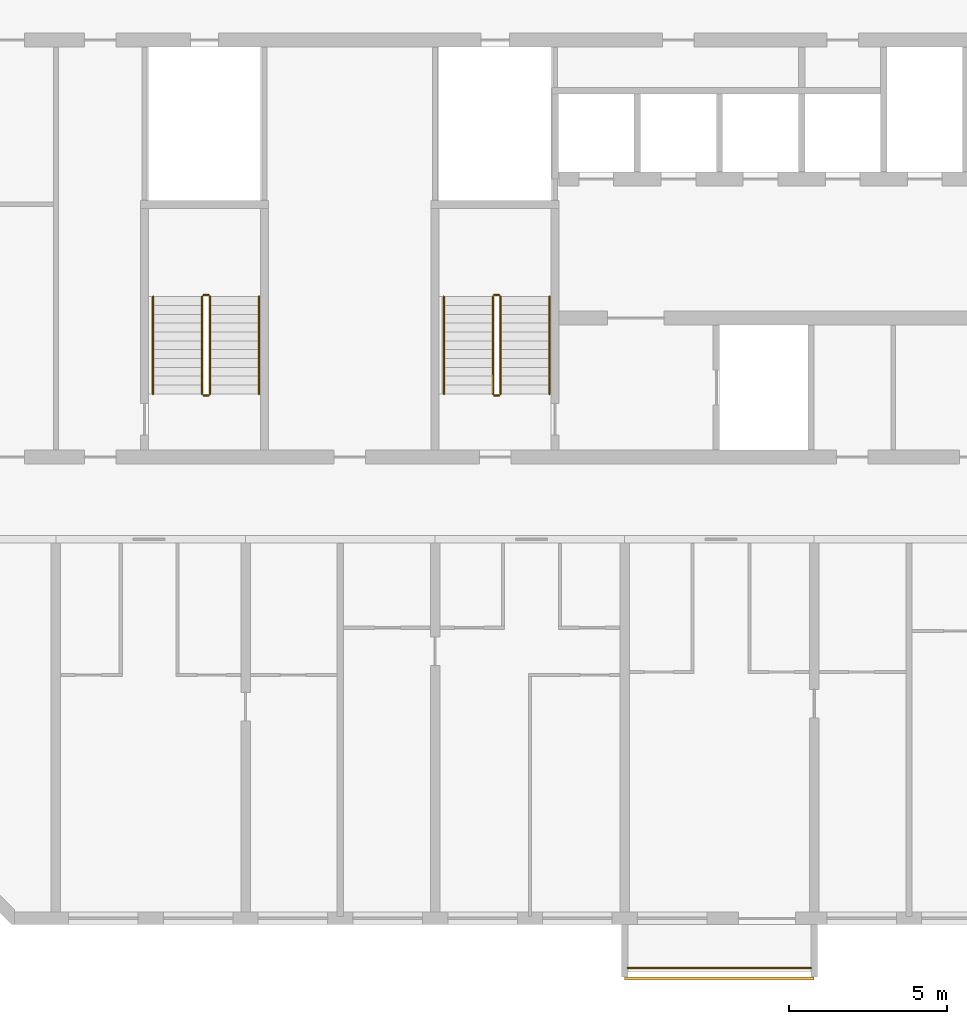
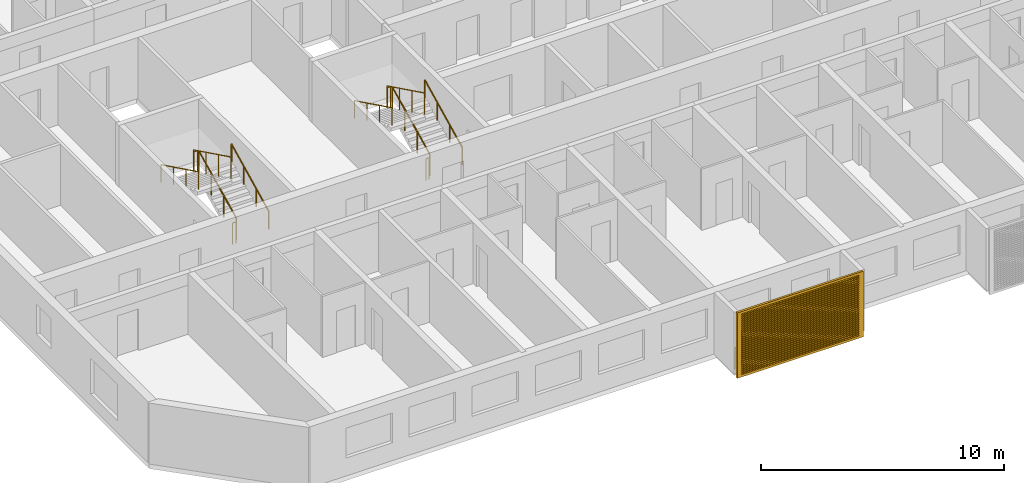
# One storey, part 14 of 32: 13 railings, 1 shading device.
"""IFC4 building model written with IfcOpenShell, lengths in metres."""

import ifcopenshell
import ifcopenshell.guid

model = None  # the IFC model being written
_history = None  # IfcOwnerHistory: only IFC2X3 demands one
_inside = {}  # id of a spatial element -> (the spatial element, [elements in it])
_under = {}  # id of a project, library or spatial element -> (it, [spatial elements below it])
_declared = {}  # id of a project -> (the project, [libraries it declares])
_typed = {}  # id of a type object -> (the type object, [elements of that type])
_made_of = {}  # id of a material, layer set ... -> (it, [elements and type objects made of it])


def new_model(schema):
    """Start an empty IFC model of exactly this schema.

    Asked for "IFC4X3", IfcOpenShell would pick the latest addendum, in which some entities
    have other attributes; the version numbers below select the first issue.
    IFC2X3 requires an IfcOwnerHistory on every rooted entity: one is made here for all.
    """
    global model, _history
    if schema == "IFC4X3":
        model = ifcopenshell.file(schema_version=(4, 3, 0, 0))
    else:
        model = ifcopenshell.file(schema=schema)
    _inside.clear()
    _under.clear()
    _declared.clear()
    _typed.clear()
    _made_of.clear()
    _history = None
    if model.schema == "IFC2X3":
        org = make("IfcOrganization", Name="unknown")
        user = make(
            "IfcPersonAndOrganization",
            ThePerson=make("IfcPerson", FamilyName="unknown"),
            TheOrganization=org,
        )
        app = make(
            "IfcApplication",
            ApplicationDeveloper=org,
            Version="unknown",
            ApplicationFullName="unknown",
            ApplicationIdentifier="unknown",
        )
        _history = make(
            "IfcOwnerHistory",
            OwningUser=user,
            OwningApplication=app,
            ChangeAction="ADDED",
            CreationDate=0,
        )
    return model


def make(cls, **values):
    """One entity of the class cls with the attributes given. An attribute that is None is left unset."""
    return model.create_entity(
        cls, **{name: value for name, value in values.items() if value is not None}
    )


def rooted(cls, **values):
    """An entity with a GlobalId (a new one), such as an element, a storey or a relation."""
    return make(cls, GlobalId=ifcopenshell.guid.new(), OwnerHistory=_history, **values)


def si_unit(unit_type, name, prefix=None):
    """IfcSIUnit, for example si_unit("LENGTHUNIT", "METRE", prefix="MILLI")."""
    return make("IfcSIUnit", UnitType=unit_type, Prefix=prefix, Name=name)


def assignment(units):
    """IfcUnitAssignment: the units of a project."""
    return None if units is None else make("IfcUnitAssignment", Units=units)


def point(xyz):
    """IfcCartesianPoint."""
    return None if xyz is None else make("IfcCartesianPoint", Coordinates=xyz)


def direction(xyz):
    """IfcDirection."""
    return None if xyz is None else make("IfcDirection", DirectionRatios=xyz)


def frame(location, z_axis=None, x_axis=None):
    """IfcAxis2Placement3D, a coordinate frame: its origin and axes. An axis left out is left unset."""
    return make(
        "IfcAxis2Placement3D",
        Location=point(location),
        Axis=direction(z_axis),
        RefDirection=direction(x_axis),
    )


def frame_2d(location, x_axis=None):
    """IfcAxis2Placement2D, a coordinate frame in the plane: its origin and x axis."""
    return make(
        "IfcAxis2Placement2D", Location=point(location), RefDirection=direction(x_axis)
    )


def origin():
    """The frame at (0, 0, 0) with its axes left unset."""
    return frame((0.0, 0.0, 0.0))


def origin_2d():
    """The frame at (0, 0) in the plane with its x axis left unset."""
    return frame_2d((0.0, 0.0))


def place(relative_to, where):
    """IfcLocalPlacement: puts the frame where relative to a parent placement (None: the world)."""
    return make(
        "IfcLocalPlacement", PlacementRelTo=relative_to, RelativePlacement=where
    )


def context(
    kind, dimensions, precision=None, world=None, true_north=None, identifier=None
):
    """IfcGeometricRepresentationContext, for example the 3D "Model" context."""
    return make(
        "IfcGeometricRepresentationContext",
        ContextIdentifier=identifier,
        ContextType=kind,
        CoordinateSpaceDimension=dimensions,
        Precision=precision,
        WorldCoordinateSystem=world,
        TrueNorth=true_north,
    )


def subcontext(parent, identifier, kind, view, scale=None):
    """IfcGeometricRepresentationSubContext, for example "Body" below "Model"."""
    return make(
        "IfcGeometricRepresentationSubContext",
        ContextIdentifier=identifier,
        ContextType=kind,
        ParentContext=parent,
        TargetScale=scale,
        TargetView=view,
    )


def project(units=None, contexts=None):
    """IfcProject with its units and contexts."""
    return rooted(
        "IfcProject",
        Name="project",
        RepresentationContexts=contexts,
        UnitsInContext=assignment(units),
    )


def spatial(cls, under=None, at=None, **own):
    """A site, building, storey or space (cls), placed at a placement, below another one or the project."""
    s = rooted(cls, ObjectPlacement=at, **own)
    if under is not None:
        _under.setdefault(under.id(), (under, []))[1].append(s)
    return s


def polyline(points):
    """IfcPolyline through the points."""
    return make("IfcPolyline", Points=[point(p) for p in points])


def profile(cls, at=None, kind="AREA", **sizes):
    """A parametric profile (cls). Its sizes go by their IFC names, for example OverallWidth=200.0."""
    return make(cls, ProfileType=kind, Position=at, **sizes)


def circle(**sizes):
    """IfcCircleProfileDef."""
    return profile("IfcCircleProfileDef", **sizes)


def outline(outer, holes=None, kind="AREA"):
    """IfcArbitraryClosedProfileDef: a profile drawn as a closed curve; with holes, ...WithVoids."""
    if holes is None:
        return make("IfcArbitraryClosedProfileDef", ProfileType=kind, OuterCurve=outer)
    return make(
        "IfcArbitraryProfileDefWithVoids",
        ProfileType=kind,
        OuterCurve=outer,
        InnerCurves=holes,
    )


def extrude(swept, where, along, depth):
    """IfcExtrudedAreaSolid: the profile swept, set in the frame where, extruded along a direction by depth."""
    return make(
        "IfcExtrudedAreaSolid",
        SweptArea=swept,
        Position=where,
        ExtrudedDirection=direction(along),
        Depth=depth,
    )


def shape(context_of_items, identifier, shape_type, items):
    """IfcShapeRepresentation: the items that make up one representation, for example the "Body"."""
    return make(
        "IfcShapeRepresentation",
        ContextOfItems=context_of_items,
        RepresentationIdentifier=identifier,
        RepresentationType=shape_type,
        Items=items,
    )


def source(mapping_origin, context_of_items, identifier, shape_type, items):
    """IfcRepresentationMap: a shape defined once, which mapped items show again and again."""
    return make(
        "IfcRepresentationMap",
        MappingOrigin=mapping_origin,
        MappedRepresentation=shape(context_of_items, identifier, shape_type, items),
    )


def transform(
    local_origin,
    x_axis=None,
    y_axis=None,
    z_axis=None,
    scale=None,
    scale2=None,
    scale3=None,
    uniform=True,
):
    """IfcCartesianTransformationOperator3D, or its non-uniform kind. x_axis, y_axis, z_axis: its Axis1, 2, 3."""
    if uniform:
        return make(
            "IfcCartesianTransformationOperator3D",
            Axis1=direction(x_axis),
            Axis2=direction(y_axis),
            LocalOrigin=point(local_origin),
            Scale=scale,
            Axis3=direction(z_axis),
        )
    return make(
        "IfcCartesianTransformationOperator3DnonUniform",
        Axis1=direction(x_axis),
        Axis2=direction(y_axis),
        LocalOrigin=point(local_origin),
        Scale=scale,
        Axis3=direction(z_axis),
        Scale2=scale2,
        Scale3=scale3,
    )


def mapped(mapping_source, mapping_target):
    """IfcMappedItem: shows the shape of a source again, moved by a transform."""
    return make(
        "IfcMappedItem", MappingSource=mapping_source, MappingTarget=mapping_target
    )


def material(Name=None, Category=None):
    """IfcMaterial."""
    return make("IfcMaterial", Name=Name, Category=Category)


def material_profile(
    of_material, cross_section, Name=None, Category=None, Priority=None
):
    """IfcMaterialProfile: a cross section and its material."""
    return make(
        "IfcMaterialProfile",
        Name=Name,
        Material=of_material,
        Profile=cross_section,
        Priority=Priority,
        Category=Category,
    )


def profile_set(profiles, Name=None, composite=None):
    """IfcMaterialProfileSet."""
    return make(
        "IfcMaterialProfileSet",
        Name=Name,
        MaterialProfiles=profiles,
        CompositeProfile=composite,
    )


def made_of(thing, what):
    """Note that an element or type object is made of a material, layer set ...; save() writes the relation."""
    if what is not None:
        _made_of.setdefault(what.id(), (what, []))[1].append(thing)
    return thing


def type_object(cls, material=None, **own):
    """A type object (cls), such as IfcWallType, which elements share."""
    return made_of(rooted(cls, **own), material)


def element(
    cls,
    number,
    at=None,
    inside=None,
    cuts=None,
    type_object=None,
    material=None,
    context=None,
    identifier="Body",
    shape_type=None,
    held_by="IfcProductDefinitionShape",
    body=None,
    shapes=None,
    **own,
):
    """One element of the class cls, such as IfcWall. Its Tag is "e" and its number.

    at: its placement. inside: the storey or other place that contains it. cuts: it is an
    opening in that element (IfcRelVoidsElement). A single representation is given by context,
    identifier, shape_type and body (its items); several are given by shapes. held_by: the class
    of the entity that holds the representations. save() writes the other relations.
    """
    e = rooted(cls, Tag="e%d" % number, ObjectPlacement=at, **own)
    if body is not None:
        shapes = [shape(context, identifier, shape_type, body)]
    if shapes is not None:
        e.Representation = make(held_by, Representations=shapes)
    if inside is not None:
        _inside.setdefault(inside.id(), (inside, []))[1].append(e)
    if cuts is not None:
        rooted(
            "IfcRelVoidsElement", RelatingBuildingElement=cuts, RelatedOpeningElement=e
        )
    if type_object is not None:
        _typed.setdefault(type_object.id(), (type_object, []))[1].append(e)
    return made_of(e, material)


def aggregate(whole, parts):
    """IfcRelAggregates: a whole, such as a stair, and the parts it consists of."""
    return rooted("IfcRelAggregates", RelatingObject=whole, RelatedObjects=parts)


def save(model, path):
    """Write the relations noted so far, then the file.

    IfcRelAggregates (storeys below a building ...), IfcRelContainedInSpatialStructure (elements
    in a storey), IfcRelDefinesByType, IfcRelAssociatesMaterial and IfcRelDeclares: one each for
    every whole, place, type object, material and project.
    """
    for whole, parts in _under.values():
        aggregate(whole, parts)
    for where, things in _inside.values():
        rooted(
            "IfcRelContainedInSpatialStructure",
            RelatedElements=things,
            RelatingStructure=where,
        )
    for kind, things in _typed.values():
        rooted("IfcRelDefinesByType", RelatedObjects=things, RelatingType=kind)
    for what, things in _made_of.values():
        rooted("IfcRelAssociatesMaterial", RelatedObjects=things, RelatingMaterial=what)
    for by, libraries in _declared.values():
        rooted("IfcRelDeclares", RelatingContext=by, RelatedDefinitions=libraries)
    model.write(path)


model = new_model("IFC4")

# Units and contexts
model_context = context("Model", 3, precision=1e-05, world=origin(), true_north=direction((0.0, 1.0)))
body_context = subcontext(model_context, "Body", "Model", "MODEL_VIEW")
ifc_project = project(units=[si_unit("LENGTHUNIT", "METRE"), si_unit("AREAUNIT", "SQUARE_METRE"), si_unit("VOLUMEUNIT", "CUBIC_METRE"), si_unit("PLANEANGLEUNIT", "RADIAN"), si_unit("MASSUNIT", "GRAM", prefix="KILO")], contexts=[model_context])

# Site, building, storey
site_placement = place(None, origin())
site = spatial("IfcSite", under=ifc_project, at=site_placement, CompositionType="ELEMENT")
building_placement = place(site_placement, origin())
building = spatial("IfcBuilding", under=site, at=building_placement, Name="Poui Terraces", CompositionType="ELEMENT")
storey_placement = place(building_placement, frame((0.0, 0.0, 125.699951171875)))
storey = spatial("IfcBuildingStorey", under=building, at=storey_placement, Name="L34", CompositionType="ELEMENT", Elevation=125.699951171875)

# Railings
ifc_material_1 = material(Name="Painted steel fretwork", Category="steel")
railing_type_1 = type_object("IfcRailingType", Name="BALCONY GUARD 1100", PredefinedType="GUARDRAIL", material=ifc_material_1)
railing_1_placement = place(storey_placement, frame((36.10009765625, -1.570068359375, 0.0)))
element("IfcRailing", 1, at=railing_1_placement, inside=storey, type_object=railing_type_1, Name="BALCONY GUARD", PredefinedType="GUARDRAIL", context=body_context, shape_type="SweptSolid", body=[
    extrude(circle(Radius=0.02392578125, at=origin_2d()), frame((0.0, 0.0, 1.076171875), z_axis=(1.0, 0.0, 0.0), x_axis=(0.0, 1.0, 0.0)), (0.0, 0.0, 1.0), 5.7998046875),
    extrude(circle(Radius=0.02099609375, at=origin_2d()), origin(), (0.0, 0.0, 1.0), 1.052001953125),
    extrude(circle(Radius=0.02099609375, at=origin_2d()), frame((0.966552734375, 0.0, 0.0)), (0.0, 0.0, 1.0), 1.052001953125),
    extrude(circle(Radius=0.02099609375, at=origin_2d()), frame((1.933349609375, 0.0, 0.0)), (0.0, 0.0, 1.0), 1.052001953125),
    extrude(circle(Radius=0.02099609375, at=origin_2d()), frame((2.89990234375, 0.0, 0.0)), (0.0, 0.0, 1.0), 1.052001953125),
    extrude(circle(Radius=0.02099609375, at=origin_2d()), frame((3.866455078125, 0.0, 0.0)), (0.0, 0.0, 1.0), 1.052001953125),
    extrude(circle(Radius=0.02099609375, at=origin_2d()), frame((4.833251953125, 0.0, 0.0)), (0.0, 0.0, 1.0), 1.052001953125),
    extrude(circle(Radius=0.02099609375, at=origin_2d()), frame((5.7998046875, 0.0, 0.0)), (0.0, 0.0, 1.0), 1.052001953125),
])
ifc_material_2 = material(Name="Galvanised steel balustrade", Category="steel")
railing_type_2 = type_object("IfcRailingType", Name="STAIR GUARD 1100", PredefinedType="GUARDRAIL", material=ifc_material_2)
railing_2_placement = place(storey_placement, frame((32.074951171875, 16.60009765625, 0.137451171875)))
element("IfcRailing", 2, at=railing_2_placement, inside=storey, type_object=railing_type_2, Name="L34 ST-CW stair guard 1", PredefinedType="GUARDRAIL", context=body_context, shape_type="SweptSolid", body=[
    extrude(circle(Radius=0.02392578125, at=origin_2d()), frame((0.0, 0.0, 1.076171875), z_axis=(0.0, 0.897578036475, 0.440855609512), x_axis=(-1.0, 0.0, 0.0)), (0.0, 0.0, 1.0), 3.43115234375),
    extrude(circle(Radius=0.02099609375, at=origin_2d()), origin(), (0.0, 0.0, 1.0), 1.052001953125),
    extrude(circle(Radius=0.02099609375, at=origin_2d()), frame((0.0, 1.026611328125, 0.504150390625)), (0.0, 0.0, 1.0), 1.052001953125),
    extrude(circle(Radius=0.02099609375, at=origin_2d()), frame((0.0, 2.05322265625, 1.008544921875)), (0.0, 0.0, 1.0), 1.052001953125),
    extrude(circle(Radius=0.02099609375, at=origin_2d()), frame((0.0, 3.079833984375, 1.5126953125)), (0.0, 0.0, 1.0), 1.052001953125),
])
railing_3_placement = place(storey_placement, frame((32.02490234375, 19.72998046875, 1.650146484375)))
element("IfcRailing", 3, at=railing_3_placement, inside=storey, type_object=railing_type_2, Name="L34 ST-CW stair guard 2", PredefinedType="GUARDRAIL", context=body_context, shape_type="SweptSolid", body=[
    extrude(circle(Radius=0.02392578125, at=origin_2d()), frame((0.0, 0.0, 1.076171875), z_axis=(-1.0, 0.0, 0.0), x_axis=(0.0, -1.0, 0.0)), (0.0, 0.0, 1.0), 0.14990234375),
    extrude(circle(Radius=0.02099609375, at=origin_2d()), origin(), (0.0, 0.0, 1.0), 1.052001953125),
    extrude(circle(Radius=0.02099609375, at=origin_2d()), frame((-0.14990234375, 0.0, 0.0)), (0.0, 0.0, 1.0), 1.052001953125),
])
railing_4_placement = place(storey_placement, frame((31.824951171875, 19.679931640625, 1.78759765625)))
element("IfcRailing", 4, at=railing_4_placement, inside=storey, type_object=railing_type_2, Name="L34 ST-CW stair guard 3", PredefinedType="GUARDRAIL", context=body_context, shape_type="SweptSolid", body=[
    extrude(circle(Radius=0.02392578125, at=origin_2d()), frame((0.0, 0.0, 1.076171875), z_axis=(0.0, -0.897606190399, 0.440798283751), x_axis=(1.0, 0.0, 0.0)), (0.0, 0.0, 1.0), 3.43115234375),
    extrude(circle(Radius=0.02099609375, at=origin_2d()), origin(), (0.0, 0.0, 1.0), 1.052001953125),
    extrude(circle(Radius=0.02099609375, at=origin_2d()), frame((0.0, -1.026611328125, 0.504150390625)), (0.0, 0.0, 1.0), 1.052001953125),
    extrude(circle(Radius=0.02099609375, at=origin_2d()), frame((0.0, -2.05322265625, 1.00830078125)), (0.0, 0.0, 1.0), 1.052001953125),
    extrude(circle(Radius=0.02099609375, at=origin_2d()), frame((0.0, -3.079833984375, 1.512451171875)), (0.0, 0.0, 1.0), 1.052001953125),
])
railing_5_placement = place(storey_placement, frame((32.02490234375, 16.550048828125, 0.0)))
element("IfcRailing", 5, at=railing_5_placement, inside=storey, type_object=railing_type_2, Name="L34 ST-CW stair guard 4", PredefinedType="GUARDRAIL", context=body_context, shape_type="SweptSolid", body=[
    extrude(circle(Radius=0.02392578125, at=origin_2d()), frame((0.0, 0.0, 1.076171875), z_axis=(-1.0, 0.0, 0.0), x_axis=(0.0, -1.0, 0.0)), (0.0, 0.0, 1.0), 0.14990234375),
    extrude(circle(Radius=0.02099609375, at=origin_2d()), origin(), (0.0, 0.0, 1.0), 1.052001953125),
    extrude(circle(Radius=0.02099609375, at=origin_2d()), frame((-0.14990234375, 0.0, 0.0)), (0.0, 0.0, 1.0), 1.052001953125),
])
railing_6_placement = place(storey_placement, frame((22.875, 16.60009765625, 0.137451171875)))
element("IfcRailing", 6, at=railing_6_placement, inside=storey, type_object=railing_type_2, Name="L34 ST-W stair guard 1", PredefinedType="GUARDRAIL", context=body_context, shape_type="SweptSolid", body=[
    extrude(circle(Radius=0.02392578125, at=origin_2d()), frame((0.0, 0.0, 1.076171875), z_axis=(0.0, 0.897578036475, 0.440855609512), x_axis=(-1.0, 0.0, 0.0)), (0.0, 0.0, 1.0), 3.43115234375),
    extrude(circle(Radius=0.02099609375, at=origin_2d()), origin(), (0.0, 0.0, 1.0), 1.052001953125),
    extrude(circle(Radius=0.02099609375, at=origin_2d()), frame((0.0, 1.026611328125, 0.504150390625)), (0.0, 0.0, 1.0), 1.052001953125),
    extrude(circle(Radius=0.02099609375, at=origin_2d()), frame((0.0, 2.05322265625, 1.008544921875)), (0.0, 0.0, 1.0), 1.052001953125),
    extrude(circle(Radius=0.02099609375, at=origin_2d()), frame((0.0, 3.079833984375, 1.5126953125)), (0.0, 0.0, 1.0), 1.052001953125),
])
railing_7_placement = place(storey_placement, frame((22.824951171875, 19.72998046875, 1.650146484375)))
element("IfcRailing", 7, at=railing_7_placement, inside=storey, type_object=railing_type_2, Name="L34 ST-W stair guard 2", PredefinedType="GUARDRAIL", context=body_context, shape_type="SweptSolid", body=[
    extrude(circle(Radius=0.02392578125, at=origin_2d()), frame((0.0, 0.0, 1.076171875), z_axis=(-1.0, 0.0, 0.0), x_axis=(0.0, -1.0, 0.0)), (0.0, 0.0, 1.0), 0.14990234375),
    extrude(circle(Radius=0.02099609375, at=origin_2d()), origin(), (0.0, 0.0, 1.0), 1.052001953125),
    extrude(circle(Radius=0.02099609375, at=origin_2d()), frame((-0.14990234375, 0.0, 0.0)), (0.0, 0.0, 1.0), 1.052001953125),
])
railing_8_placement = place(storey_placement, frame((22.625, 19.679931640625, 1.78759765625)))
element("IfcRailing", 8, at=railing_8_placement, inside=storey, type_object=railing_type_2, Name="L34 ST-W stair guard 3", PredefinedType="GUARDRAIL", context=body_context, shape_type="SweptSolid", body=[
    extrude(circle(Radius=0.02392578125, at=origin_2d()), frame((0.0, 0.0, 1.076171875), z_axis=(0.0, -0.897606190399, 0.440798283751), x_axis=(1.0, 0.0, 0.0)), (0.0, 0.0, 1.0), 3.43115234375),
    extrude(circle(Radius=0.02099609375, at=origin_2d()), origin(), (0.0, 0.0, 1.0), 1.052001953125),
    extrude(circle(Radius=0.02099609375, at=origin_2d()), frame((0.0, -1.026611328125, 0.504150390625)), (0.0, 0.0, 1.0), 1.052001953125),
    extrude(circle(Radius=0.02099609375, at=origin_2d()), frame((0.0, -2.05322265625, 1.00830078125)), (0.0, 0.0, 1.0), 1.052001953125),
    extrude(circle(Radius=0.02099609375, at=origin_2d()), frame((0.0, -3.079833984375, 1.512451171875)), (0.0, 0.0, 1.0), 1.052001953125),
])
railing_9_placement = place(storey_placement, frame((22.824951171875, 16.550048828125, 0.0)))
element("IfcRailing", 9, at=railing_9_placement, inside=storey, type_object=railing_type_2, Name="L34 ST-W stair guard 4", PredefinedType="GUARDRAIL", context=body_context, shape_type="SweptSolid", body=[
    extrude(circle(Radius=0.02392578125, at=origin_2d()), frame((0.0, 0.0, 1.076171875), z_axis=(-1.0, 0.0, 0.0), x_axis=(0.0, -1.0, 0.0)), (0.0, 0.0, 1.0), 0.14990234375),
    extrude(circle(Radius=0.02099609375, at=origin_2d()), origin(), (0.0, 0.0, 1.0), 1.052001953125),
    extrude(circle(Radius=0.02099609375, at=origin_2d()), frame((-0.14990234375, 0.0, 0.0)), (0.0, 0.0, 1.0), 1.052001953125),
])
ifc_material_3 = material(Name="Stainless steel handrail", Category="steel")
railing_type_3 = type_object("IfcRailingType", Name="STAIR HANDRAIL 900", PredefinedType="HANDRAIL", material=ifc_material_3)
railing_10_placement = place(storey_placement, frame((33.625, 16.60009765625, 0.137451171875)))
element("IfcRailing", 10, at=railing_10_placement, inside=storey, type_object=railing_type_3, Name="L34 ST-CW stair handrail 1", PredefinedType="HANDRAIL", context=body_context, shape_type="SweptSolid", body=[
    extrude(circle(Radius=0.02392578125, at=origin_2d()), frame((0.0, 0.0, 0.8759765625), z_axis=(0.0, 0.897578036475, 0.440855609512), x_axis=(-1.0, 0.0, 0.0)), (0.0, 0.0, 1.0), 3.43115234375),
    extrude(circle(Radius=0.02099609375, at=origin_2d()), origin(), (0.0, 0.0, 1.0), 0.851806640625),
    extrude(circle(Radius=0.02099609375, at=origin_2d()), frame((0.0, 1.026611328125, 0.504150390625)), (0.0, 0.0, 1.0), 0.851806640625),
    extrude(circle(Radius=0.02099609375, at=origin_2d()), frame((0.0, 2.05322265625, 1.008544921875)), (0.0, 0.0, 1.0), 0.851806640625),
    extrude(circle(Radius=0.02099609375, at=origin_2d()), frame((0.0, 3.079833984375, 1.5126953125)), (0.0, 0.0, 1.0), 0.851806640625),
])
railing_11_placement = place(storey_placement, frame((30.27490234375, 19.679931640625, 1.78759765625)))
element("IfcRailing", 11, at=railing_11_placement, inside=storey, type_object=railing_type_3, Name="L34 ST-CW stair handrail 2", PredefinedType="HANDRAIL", context=body_context, shape_type="SweptSolid", body=[
    extrude(circle(Radius=0.02392578125, at=origin_2d()), frame((0.0, 0.0, 0.8759765625), z_axis=(0.0, -0.897606190399, 0.440798283751), x_axis=(1.0, 0.0, 0.0)), (0.0, 0.0, 1.0), 3.43115234375),
    extrude(circle(Radius=0.02099609375, at=origin_2d()), origin(), (0.0, 0.0, 1.0), 0.851806640625),
    extrude(circle(Radius=0.02099609375, at=origin_2d()), frame((0.0, -1.026611328125, 0.504150390625)), (0.0, 0.0, 1.0), 0.851806640625),
    extrude(circle(Radius=0.02099609375, at=origin_2d()), frame((0.0, -2.05322265625, 1.00830078125)), (0.0, 0.0, 1.0), 0.851806640625),
    extrude(circle(Radius=0.02099609375, at=origin_2d()), frame((0.0, -3.079833984375, 1.512451171875)), (0.0, 0.0, 1.0), 0.851806640625),
])
railing_12_placement = place(storey_placement, frame((24.425048828125, 16.60009765625, 0.137451171875)))
element("IfcRailing", 12, at=railing_12_placement, inside=storey, type_object=railing_type_3, Name="L34 ST-W stair handrail 1", PredefinedType="HANDRAIL", context=body_context, shape_type="SweptSolid", body=[
    extrude(circle(Radius=0.02392578125, at=origin_2d()), frame((0.0, 0.0, 0.8759765625), z_axis=(0.0, 0.897578036475, 0.440855609512), x_axis=(-1.0, 0.0, 0.0)), (0.0, 0.0, 1.0), 3.43115234375),
    extrude(circle(Radius=0.02099609375, at=origin_2d()), origin(), (0.0, 0.0, 1.0), 0.851806640625),
    extrude(circle(Radius=0.02099609375, at=origin_2d()), frame((0.0, 1.026611328125, 0.504150390625)), (0.0, 0.0, 1.0), 0.851806640625),
    extrude(circle(Radius=0.02099609375, at=origin_2d()), frame((0.0, 2.05322265625, 1.008544921875)), (0.0, 0.0, 1.0), 0.851806640625),
    extrude(circle(Radius=0.02099609375, at=origin_2d()), frame((0.0, 3.079833984375, 1.5126953125)), (0.0, 0.0, 1.0), 0.851806640625),
])
railing_13_placement = place(storey_placement, frame((21.074951171875, 19.679931640625, 1.78759765625)))
element("IfcRailing", 13, at=railing_13_placement, inside=storey, type_object=railing_type_3, Name="L34 ST-W stair handrail 2", PredefinedType="HANDRAIL", context=body_context, shape_type="SweptSolid", body=[
    extrude(circle(Radius=0.02392578125, at=origin_2d()), frame((0.0, 0.0, 0.8759765625), z_axis=(0.0, -0.897606190399, 0.440798283751), x_axis=(1.0, 0.0, 0.0)), (0.0, 0.0, 1.0), 3.43115234375),
    extrude(circle(Radius=0.02099609375, at=origin_2d()), origin(), (0.0, 0.0, 1.0), 0.851806640625),
    extrude(circle(Radius=0.02099609375, at=origin_2d()), frame((0.0, -1.026611328125, 0.504150390625)), (0.0, 0.0, 1.0), 0.851806640625),
    extrude(circle(Radius=0.02099609375, at=origin_2d()), frame((0.0, -2.05322265625, 1.00830078125)), (0.0, 0.0, 1.0), 0.851806640625),
    extrude(circle(Radius=0.02099609375, at=origin_2d()), frame((0.0, -3.079833984375, 1.512451171875)), (0.0, 0.0, 1.0), 0.851806640625),
])

# Shading device
ifc_material_4 = material(Name="Aluminium louvre", Category="aluminium")
ifc_material_profile = material_profile(ifc_material_4, outline(polyline([(-3.0, -1.64990234375), (3.0, -1.64990234375), (3.0, 1.64990234375), (-3.0, 1.64990234375), (-3.0, -1.64990234375)]), holes=[polyline([(-2.800048828125, -1.530029296875), (2.800048828125, -1.530029296875), (2.800048828125, -1.469970703125), (-2.800048828125, -1.469970703125), (-2.800048828125, -1.530029296875)]), polyline([(-2.800048828125, -1.429931640625), (2.800048828125, -1.429931640625), (2.800048828125, -1.3701171875), (-2.800048828125, -1.3701171875), (-2.800048828125, -1.429931640625)]), polyline([(-2.800048828125, -1.330078125), (2.800048828125, -1.330078125), (2.800048828125, -1.27001953125), (-2.800048828125, -1.27001953125), (-2.800048828125, -1.330078125)]), polyline([(-2.800048828125, -1.22998046875), (2.800048828125, -1.22998046875), (2.800048828125, -1.169921875), (-2.800048828125, -1.169921875), (-2.800048828125, -1.22998046875)]), polyline([(-2.800048828125, -1.1298828125), (2.800048828125, -1.1298828125), (2.800048828125, -1.070068359375), (-2.800048828125, -1.070068359375), (-2.800048828125, -1.1298828125)]), polyline([(-2.800048828125, -1.030029296875), (2.800048828125, -1.030029296875), (2.800048828125, -0.969970703125), (-2.800048828125, -0.969970703125), (-2.800048828125, -1.030029296875)]), polyline([(-2.800048828125, -0.929931640625), (2.800048828125, -0.929931640625), (2.800048828125, -0.8701171875), (-2.800048828125, -0.8701171875), (-2.800048828125, -0.929931640625)]), polyline([(-2.800048828125, -0.830078125), (2.800048828125, -0.830078125), (2.800048828125, -0.77001953125), (-2.800048828125, -0.77001953125), (-2.800048828125, -0.830078125)]), polyline([(-2.800048828125, -0.72998046875), (2.800048828125, -0.72998046875), (2.800048828125, -0.669921875), (-2.800048828125, -0.669921875), (-2.800048828125, -0.72998046875)]), polyline([(-2.800048828125, -0.6298828125), (2.800048828125, -0.6298828125), (2.800048828125, -0.570068359375), (-2.800048828125, -0.570068359375), (-2.800048828125, -0.6298828125)]), polyline([(-2.800048828125, -0.530029296875), (2.800048828125, -0.530029296875), (2.800048828125, -0.469970703125), (-2.800048828125, -0.469970703125), (-2.800048828125, -0.530029296875)]), polyline([(-2.800048828125, -0.429931640625), (2.800048828125, -0.429931640625), (2.800048828125, -0.3701171875), (-2.800048828125, -0.3701171875), (-2.800048828125, -0.429931640625)]), polyline([(-2.800048828125, -0.330078125), (2.800048828125, -0.330078125), (2.800048828125, -0.27001953125), (-2.800048828125, -0.27001953125), (-2.800048828125, -0.330078125)]), polyline([(-2.800048828125, -0.22998046875), (2.800048828125, -0.22998046875), (2.800048828125, -0.169921875), (-2.800048828125, -0.169921875), (-2.800048828125, -0.22998046875)]), polyline([(-2.800048828125, -0.1298828125), (2.800048828125, -0.1298828125), (2.800048828125, -0.070068359375), (-2.800048828125, -0.070068359375), (-2.800048828125, -0.1298828125)]), polyline([(-2.800048828125, -0.030029296875), (2.800048828125, -0.030029296875), (2.800048828125, 0.030029296875), (-2.800048828125, 0.030029296875), (-2.800048828125, -0.030029296875)]), polyline([(-2.800048828125, 0.070068359375), (2.800048828125, 0.070068359375), (2.800048828125, 0.1298828125), (-2.800048828125, 0.1298828125), (-2.800048828125, 0.070068359375)]), polyline([(-2.800048828125, 0.169921875), (2.800048828125, 0.169921875), (2.800048828125, 0.22998046875), (-2.800048828125, 0.22998046875), (-2.800048828125, 0.169921875)]), polyline([(-2.800048828125, 0.27001953125), (2.800048828125, 0.27001953125), (2.800048828125, 0.330078125), (-2.800048828125, 0.330078125), (-2.800048828125, 0.27001953125)]), polyline([(-2.800048828125, 0.3701171875), (2.800048828125, 0.3701171875), (2.800048828125, 0.429931640625), (-2.800048828125, 0.429931640625), (-2.800048828125, 0.3701171875)]), polyline([(-2.800048828125, 0.469970703125), (2.800048828125, 0.469970703125), (2.800048828125, 0.530029296875), (-2.800048828125, 0.530029296875), (-2.800048828125, 0.469970703125)]), polyline([(-2.800048828125, 0.570068359375), (2.800048828125, 0.570068359375), (2.800048828125, 0.6298828125), (-2.800048828125, 0.6298828125), (-2.800048828125, 0.570068359375)]), polyline([(-2.800048828125, 0.669921875), (2.800048828125, 0.669921875), (2.800048828125, 0.72998046875), (-2.800048828125, 0.72998046875), (-2.800048828125, 0.669921875)]), polyline([(-2.800048828125, 0.77001953125), (2.800048828125, 0.77001953125), (2.800048828125, 0.830078125), (-2.800048828125, 0.830078125), (-2.800048828125, 0.77001953125)]), polyline([(-2.800048828125, 0.8701171875), (2.800048828125, 0.8701171875), (2.800048828125, 0.929931640625), (-2.800048828125, 0.929931640625), (-2.800048828125, 0.8701171875)]), polyline([(-2.800048828125, 0.969970703125), (2.800048828125, 0.969970703125), (2.800048828125, 1.030029296875), (-2.800048828125, 1.030029296875), (-2.800048828125, 0.969970703125)]), polyline([(-2.800048828125, 1.070068359375), (2.800048828125, 1.070068359375), (2.800048828125, 1.1298828125), (-2.800048828125, 1.1298828125), (-2.800048828125, 1.070068359375)]), polyline([(-2.800048828125, 1.169921875), (2.800048828125, 1.169921875), (2.800048828125, 1.22998046875), (-2.800048828125, 1.22998046875), (-2.800048828125, 1.169921875)]), polyline([(-2.800048828125, 1.27001953125), (2.800048828125, 1.27001953125), (2.800048828125, 1.330078125), (-2.800048828125, 1.330078125), (-2.800048828125, 1.27001953125)]), polyline([(-2.800048828125, 1.3701171875), (2.800048828125, 1.3701171875), (2.800048828125, 1.429931640625), (-2.800048828125, 1.429931640625), (-2.800048828125, 1.3701171875)]), polyline([(-2.800048828125, 1.469970703125), (2.800048828125, 1.469970703125), (2.800048828125, 1.530029296875), (-2.800048828125, 1.530029296875), (-2.800048828125, 1.469970703125)])]), Name="JALOUSIE LOUVRE SHUTTER 6000X3300")
ifc_profile_set = profile_set([ifc_material_profile], Name="Aluminium louvre")
shading_device_type = type_object("IfcShadingDeviceType", Name="JALOUSIE LOUVRE SHUTTER 6000X3300", PredefinedType="JALOUSIE", material=ifc_profile_set)
shared_shape = source(origin(), body_context, "Body", "SweptSolid", [
    extrude(outline(polyline([(-3.0, -1.64990234375), (3.0, -1.64990234375), (3.0, 1.64990234375), (-3.0, 1.64990234375), (-3.0, -1.64990234375)]), holes=[polyline([(-2.800048828125, -1.530029296875), (2.800048828125, -1.530029296875), (2.800048828125, -1.469970703125), (-2.800048828125, -1.469970703125), (-2.800048828125, -1.530029296875)]), polyline([(-2.800048828125, -1.429931640625), (2.800048828125, -1.429931640625), (2.800048828125, -1.3701171875), (-2.800048828125, -1.3701171875), (-2.800048828125, -1.429931640625)]), polyline([(-2.800048828125, -1.330078125), (2.800048828125, -1.330078125), (2.800048828125, -1.27001953125), (-2.800048828125, -1.27001953125), (-2.800048828125, -1.330078125)]), polyline([(-2.800048828125, -1.22998046875), (2.800048828125, -1.22998046875), (2.800048828125, -1.169921875), (-2.800048828125, -1.169921875), (-2.800048828125, -1.22998046875)]), polyline([(-2.800048828125, -1.1298828125), (2.800048828125, -1.1298828125), (2.800048828125, -1.070068359375), (-2.800048828125, -1.070068359375), (-2.800048828125, -1.1298828125)]), polyline([(-2.800048828125, -1.030029296875), (2.800048828125, -1.030029296875), (2.800048828125, -0.969970703125), (-2.800048828125, -0.969970703125), (-2.800048828125, -1.030029296875)]), polyline([(-2.800048828125, -0.929931640625), (2.800048828125, -0.929931640625), (2.800048828125, -0.8701171875), (-2.800048828125, -0.8701171875), (-2.800048828125, -0.929931640625)]), polyline([(-2.800048828125, -0.830078125), (2.800048828125, -0.830078125), (2.800048828125, -0.77001953125), (-2.800048828125, -0.77001953125), (-2.800048828125, -0.830078125)]), polyline([(-2.800048828125, -0.72998046875), (2.800048828125, -0.72998046875), (2.800048828125, -0.669921875), (-2.800048828125, -0.669921875), (-2.800048828125, -0.72998046875)]), polyline([(-2.800048828125, -0.6298828125), (2.800048828125, -0.6298828125), (2.800048828125, -0.570068359375), (-2.800048828125, -0.570068359375), (-2.800048828125, -0.6298828125)]), polyline([(-2.800048828125, -0.530029296875), (2.800048828125, -0.530029296875), (2.800048828125, -0.469970703125), (-2.800048828125, -0.469970703125), (-2.800048828125, -0.530029296875)]), polyline([(-2.800048828125, -0.429931640625), (2.800048828125, -0.429931640625), (2.800048828125, -0.3701171875), (-2.800048828125, -0.3701171875), (-2.800048828125, -0.429931640625)]), polyline([(-2.800048828125, -0.330078125), (2.800048828125, -0.330078125), (2.800048828125, -0.27001953125), (-2.800048828125, -0.27001953125), (-2.800048828125, -0.330078125)]), polyline([(-2.800048828125, -0.22998046875), (2.800048828125, -0.22998046875), (2.800048828125, -0.169921875), (-2.800048828125, -0.169921875), (-2.800048828125, -0.22998046875)]), polyline([(-2.800048828125, -0.1298828125), (2.800048828125, -0.1298828125), (2.800048828125, -0.070068359375), (-2.800048828125, -0.070068359375), (-2.800048828125, -0.1298828125)]), polyline([(-2.800048828125, -0.030029296875), (2.800048828125, -0.030029296875), (2.800048828125, 0.030029296875), (-2.800048828125, 0.030029296875), (-2.800048828125, -0.030029296875)]), polyline([(-2.800048828125, 0.070068359375), (2.800048828125, 0.070068359375), (2.800048828125, 0.1298828125), (-2.800048828125, 0.1298828125), (-2.800048828125, 0.070068359375)]), polyline([(-2.800048828125, 0.169921875), (2.800048828125, 0.169921875), (2.800048828125, 0.22998046875), (-2.800048828125, 0.22998046875), (-2.800048828125, 0.169921875)]), polyline([(-2.800048828125, 0.27001953125), (2.800048828125, 0.27001953125), (2.800048828125, 0.330078125), (-2.800048828125, 0.330078125), (-2.800048828125, 0.27001953125)]), polyline([(-2.800048828125, 0.3701171875), (2.800048828125, 0.3701171875), (2.800048828125, 0.429931640625), (-2.800048828125, 0.429931640625), (-2.800048828125, 0.3701171875)]), polyline([(-2.800048828125, 0.469970703125), (2.800048828125, 0.469970703125), (2.800048828125, 0.530029296875), (-2.800048828125, 0.530029296875), (-2.800048828125, 0.469970703125)]), polyline([(-2.800048828125, 0.570068359375), (2.800048828125, 0.570068359375), (2.800048828125, 0.6298828125), (-2.800048828125, 0.6298828125), (-2.800048828125, 0.570068359375)]), polyline([(-2.800048828125, 0.669921875), (2.800048828125, 0.669921875), (2.800048828125, 0.72998046875), (-2.800048828125, 0.72998046875), (-2.800048828125, 0.669921875)]), polyline([(-2.800048828125, 0.77001953125), (2.800048828125, 0.77001953125), (2.800048828125, 0.830078125), (-2.800048828125, 0.830078125), (-2.800048828125, 0.77001953125)]), polyline([(-2.800048828125, 0.8701171875), (2.800048828125, 0.8701171875), (2.800048828125, 0.929931640625), (-2.800048828125, 0.929931640625), (-2.800048828125, 0.8701171875)]), polyline([(-2.800048828125, 0.969970703125), (2.800048828125, 0.969970703125), (2.800048828125, 1.030029296875), (-2.800048828125, 1.030029296875), (-2.800048828125, 0.969970703125)]), polyline([(-2.800048828125, 1.070068359375), (2.800048828125, 1.070068359375), (2.800048828125, 1.1298828125), (-2.800048828125, 1.1298828125), (-2.800048828125, 1.070068359375)]), polyline([(-2.800048828125, 1.169921875), (2.800048828125, 1.169921875), (2.800048828125, 1.22998046875), (-2.800048828125, 1.22998046875), (-2.800048828125, 1.169921875)]), polyline([(-2.800048828125, 1.27001953125), (2.800048828125, 1.27001953125), (2.800048828125, 1.330078125), (-2.800048828125, 1.330078125), (-2.800048828125, 1.27001953125)]), polyline([(-2.800048828125, 1.3701171875), (2.800048828125, 1.3701171875), (2.800048828125, 1.429931640625), (-2.800048828125, 1.429931640625), (-2.800048828125, 1.3701171875)]), polyline([(-2.800048828125, 1.469970703125), (2.800048828125, 1.469970703125), (2.800048828125, 1.530029296875), (-2.800048828125, 1.530029296875), (-2.800048828125, 1.469970703125)])]), origin(), (0.0, 0.0, 1.0), 0.099853515625),
])
shading_device_placement = place(storey_placement, frame((39.0, -1.85009765625, 1.449951171875), z_axis=(0.0, -1.0, 0.0), x_axis=(1.0, 0.0, 0.0)))
element("IfcShadingDevice", 14, at=shading_device_placement, inside=storey, type_object=shading_device_type, Name="JALOUSIE LOUVRE SHUTTER", PredefinedType="JALOUSIE", context=body_context, shape_type="MappedRepresentation", body=[
    mapped(shared_shape, transform((0.0, 0.0, 0.0))),
])

save(model, "model.ifc")
